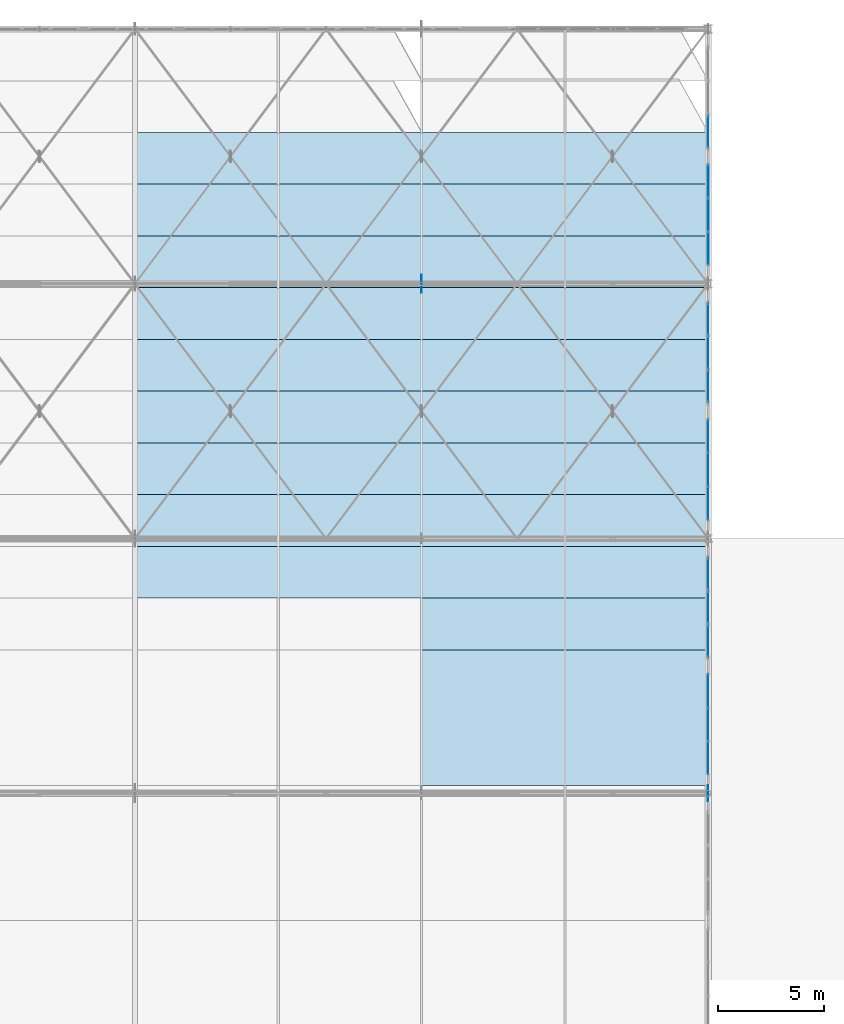
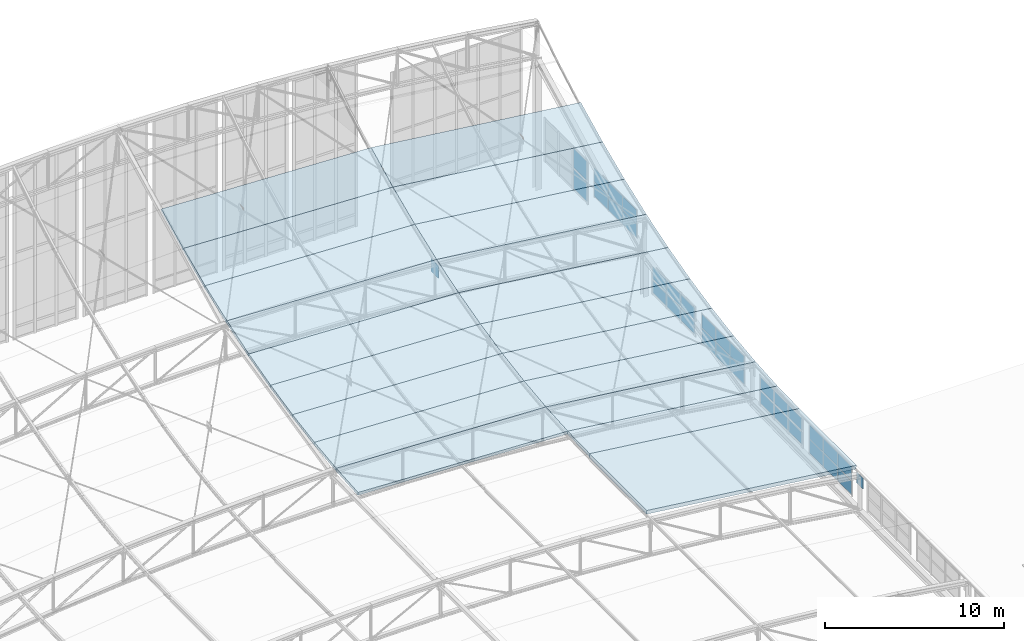
# One storey, part 226 of 262: 34 plates, 20 slabs, 6 elements without a shape of their own.
"""IFC4 building model written with IfcOpenShell, lengths in metres."""

from ifc_helpers import new_model, si_unit, derived_unit, direction, frame, origin, origin_2d, place, context, subcontext, project, spatial, polyline, rectangle, outline, extrude, material, layer, layer_set, type_object, element, aggregate, save


model = new_model("IFC4")

# Units and contexts
model_context = context("Model", 3, precision=1e-05, world=origin(), true_north=direction((0.0, 1.0)))
body_context = subcontext(model_context, "Body", "Model", "MODEL_VIEW")
ifc_project = project(units=[si_unit("LENGTHUNIT", "METRE"), si_unit("AREAUNIT", "SQUARE_METRE"), si_unit("VOLUMEUNIT", "CUBIC_METRE"), si_unit("PLANEANGLEUNIT", "RADIAN"), si_unit("MASSUNIT", "GRAM", prefix="KILO"), derived_unit("THERMALTRANSMITTANCEUNIT", [(si_unit("POWERUNIT", "WATT"), 1), (si_unit("LENGTHUNIT", "METRE"), -2), (si_unit("THERMODYNAMICTEMPERATUREUNIT", "KELVIN"), -1)])], contexts=[model_context])

# Site, building, storey
site_placement = place(None, origin())
site = spatial("IfcSite", under=ifc_project, at=site_placement, CompositionType="ELEMENT")
building_placement = place(site_placement, origin())
building = spatial("IfcBuilding", under=site, at=building_placement, Name="Almenara Railside Exhibition Hall", CompositionType="ELEMENT")
storey_placement = place(building_placement, frame((0.0, 0.0, 21.699951171875)))
storey = spatial("IfcBuildingStorey", under=building, at=storey_placement, Name="RF", CompositionType="ELEMENT", Elevation=21.699951171875)

# Curtain wall, plates
ifc_material_1 = material(Name="Bronze-anodised aluminium and low-E double glazing", Category="aluminium")
ifc_layer_1 = layer(ifc_material_1, 0.179931640625, Name="Bronze-anodised aluminium and low-E double glazing")
ifc_layer_set_1 = layer_set([ifc_layer_1], Name="Bronze-anodised aluminium and low-E double glazing")
curtain_wall_type = type_object("IfcCurtainWallType", Name="West Hall Clerestory Curtain Wall 4200x2400", PredefinedType="NOTDEFINED", material=ifc_layer_set_1)
curtain_wall_1_placement = place(storey_placement, origin())
curtain_wall_1 = element("IfcCurtainWall", 1, at=curtain_wall_1_placement, inside=storey, type_object=curtain_wall_type, Name="Curtain wall CW-CL1-190", PredefinedType="NOTDEFINED")
ifc_material_2 = material(Name="Solar-control acoustic laminated glazing", Category="glass")
ifc_layer_2 = layer(ifc_material_2, 0.031982421875, Name="Solar-control acoustic laminated glazing")
ifc_layer_set_2 = layer_set([ifc_layer_2], Name="Solar-control acoustic laminated glazing")
plate_type_1 = type_object("IfcPlateType", Name="Acoustic Low-E Double Glazing Panel 32mm", PredefinedType="CURTAIN_PANEL", material=ifc_layer_set_2)
plate_1_placement = place(storey_placement, frame((66.0, 109.663818359375, -1.7158203125), z_axis=(0.0, 0.0, 1.0), x_axis=(0.0, 1.0, 0.0)))
plate_1 = element("IfcPlate", 2, at=plate_1_placement, type_object=plate_type_1, Name="CW-CL1-190 panel 1.1", PredefinedType="CURTAIN_PANEL", context=body_context, shape_type="SweptSolid", body=[
    extrude(rectangle(XDim=1.533447265625, YDim=0.031982421875, at=origin_2d()), origin(), (0.0, 0.0, 1.0), 0.922119140625),
])
plate_2_placement = place(storey_placement, frame((66.0, 109.663818359375, -0.73583984375), z_axis=(0.0, 0.0, 1.0), x_axis=(0.0, 1.0, 0.0)))
plate_2 = element("IfcPlate", 3, at=plate_2_placement, type_object=plate_type_1, Name="CW-CL1-190 panel 1.2", PredefinedType="CURTAIN_PANEL", context=body_context, shape_type="SweptSolid", body=[
    extrude(rectangle(XDim=1.533447265625, YDim=0.031982421875, at=origin_2d()), origin(), (0.0, 0.0, 1.0), 0.922119140625),
])
plate_3_placement = place(storey_placement, frame((66.0, 111.25, -1.7158203125), z_axis=(0.0, 0.0, 1.0), x_axis=(0.0, 1.0, 0.0)))
plate_3 = element("IfcPlate", 4, at=plate_3_placement, type_object=plate_type_1, Name="CW-CL1-190 panel 2.1", PredefinedType="CURTAIN_PANEL", context=body_context, shape_type="SweptSolid", body=[
    extrude(rectangle(XDim=1.56103515625, YDim=0.031982421875, at=origin_2d()), origin(), (0.0, 0.0, 1.0), 0.922119140625),
])
plate_4_placement = place(storey_placement, frame((66.0, 111.25, -0.73583984375), z_axis=(0.0, 0.0, 1.0), x_axis=(0.0, 1.0, 0.0)))
plate_4 = element("IfcPlate", 5, at=plate_4_placement, type_object=plate_type_1, Name="CW-CL1-190 panel 2.2", PredefinedType="CURTAIN_PANEL", context=body_context, shape_type="SweptSolid", body=[
    extrude(rectangle(XDim=1.56103515625, YDim=0.031982421875, at=origin_2d()), origin(), (0.0, 0.0, 1.0), 0.922119140625),
])
plate_5_placement = place(storey_placement, frame((66.0, 112.836181640625, -1.7158203125), z_axis=(0.0, 0.0, 1.0), x_axis=(0.0, 1.0, 0.0)))
plate_5 = element("IfcPlate", 6, at=plate_5_placement, type_object=plate_type_1, Name="CW-CL1-190 panel 3.1", PredefinedType="CURTAIN_PANEL", context=body_context, shape_type="SweptSolid", body=[
    extrude(rectangle(XDim=1.533447265625, YDim=0.031982421875, at=origin_2d()), origin(), (0.0, 0.0, 1.0), 0.922119140625),
])
plate_6_placement = place(storey_placement, frame((66.0, 112.836181640625, -0.73583984375), z_axis=(0.0, 0.0, 1.0), x_axis=(0.0, 1.0, 0.0)))
plate_6 = element("IfcPlate", 7, at=plate_6_placement, type_object=plate_type_1, Name="CW-CL1-190 panel 3.2", PredefinedType="CURTAIN_PANEL", context=body_context, shape_type="SweptSolid", body=[
    extrude(rectangle(XDim=1.533447265625, YDim=0.031982421875, at=origin_2d()), origin(), (0.0, 0.0, 1.0), 0.922119140625),
])
aggregate(curtain_wall_1, [plate_1, plate_2, plate_3, plate_4, plate_5, plate_6])

curtain_wall_2_placement = place(storey_placement, origin())
curtain_wall_2 = element("IfcCurtainWall", 8, at=curtain_wall_2_placement, inside=storey, type_object=curtain_wall_type, Name="Curtain wall CW-CL1-195", PredefinedType="NOTDEFINED")
plate_7_placement = place(storey_placement, frame((66.0, 127.16748046875, 0.093994140625), z_axis=(0.0, 0.0, 1.0), x_axis=(0.0, 1.0, 0.0)))
plate_7 = element("IfcPlate", 9, at=plate_7_placement, type_object=plate_type_1, Name="CW-CL1-195 panel 1.1", PredefinedType="CURTAIN_PANEL", context=body_context, shape_type="SweptSolid", body=[
    extrude(rectangle(XDim=1.510986328125, YDim=0.031982421875, at=origin_2d()), origin(), (0.0, 0.0, 1.0), 1.287109375),
])
plate_8_placement = place(storey_placement, frame((66.0, 127.16748046875, 1.509033203125), z_axis=(0.0, 0.0, 1.0), x_axis=(0.0, 1.0, 0.0)))
plate_8 = element("IfcPlate", 10, at=plate_8_placement, type_object=plate_type_1, Name="CW-CL1-195 panel 1.2", PredefinedType="CURTAIN_PANEL", context=body_context, shape_type="SweptSolid", body=[
    extrude(rectangle(XDim=1.510986328125, YDim=0.031982421875, at=origin_2d()), origin(), (0.0, 0.0, 1.0), 1.287109375),
])
aggregate(curtain_wall_2, [plate_7, plate_8])

curtain_wall_3_placement = place(storey_placement, origin())
curtain_wall_3 = element("IfcCurtainWall", 11, at=curtain_wall_3_placement, inside=storey, type_object=curtain_wall_type, Name="Curtain wall CW-CL1-187", PredefinedType="NOTDEFINED")
ifc_material_3 = material(Name="Clear low-E laminated double glazing", Category="glass")
ifc_layer_3 = layer(ifc_material_3, 0.02392578125, Name="Clear low-E laminated double glazing")
ifc_layer_set_3 = layer_set([ifc_layer_3], Name="Clear low-E laminated double glazing")
plate_type_2 = type_object("IfcPlateType", Name="Courtyard Clear Double Glazing Panel 24mm", PredefinedType="CURTAIN_PANEL", material=ifc_layer_set_3)
plate_9_placement = place(storey_placement, frame((66.0, 103.16748046875, -1.906005859375), z_axis=(0.0, 0.0, 1.0), x_axis=(0.0, 1.0, 0.0)))
plate_9 = element("IfcPlate", 12, at=plate_9_placement, type_object=plate_type_2, Name="CW-CL1-187 panel 1.1", PredefinedType="CURTAIN_PANEL", context=body_context, shape_type="SweptSolid", body=[
    extrude(rectangle(XDim=1.510986328125, YDim=0.02392578125, at=origin_2d()), origin(), (0.0, 0.0, 1.0), 0.81689453125),
])
plate_10_placement = place(storey_placement, frame((66.0, 103.16748046875, -0.9609375), z_axis=(0.0, 0.0, 1.0), x_axis=(0.0, 1.0, 0.0)))
plate_10 = element("IfcPlate", 13, at=plate_10_placement, type_object=plate_type_2, Name="CW-CL1-187 panel 1.2", PredefinedType="CURTAIN_PANEL", context=body_context, shape_type="SweptSolid", body=[
    extrude(rectangle(XDim=1.510986328125, YDim=0.02392578125, at=origin_2d()), origin(), (0.0, 0.0, 1.0), 0.81689453125),
])
plate_11_placement = place(storey_placement, frame((66.0, 104.75, -1.906005859375), z_axis=(0.0, 0.0, 1.0), x_axis=(0.0, 1.0, 0.0)))
plate_11 = element("IfcPlate", 14, at=plate_11_placement, type_object=plate_type_2, Name="CW-CL1-187 panel 2.1", PredefinedType="CURTAIN_PANEL", context=body_context, shape_type="SweptSolid", body=[
    extrude(rectangle(XDim=1.5458984375, YDim=0.02392578125, at=origin_2d()), origin(), (0.0, 0.0, 1.0), 0.81689453125),
])
plate_12_placement = place(storey_placement, frame((66.0, 104.75, -0.9609375), z_axis=(0.0, 0.0, 1.0), x_axis=(0.0, 1.0, 0.0)))
plate_12 = element("IfcPlate", 15, at=plate_12_placement, type_object=plate_type_2, Name="CW-CL1-187 panel 2.2", PredefinedType="CURTAIN_PANEL", context=body_context, shape_type="SweptSolid", body=[
    extrude(rectangle(XDim=1.5458984375, YDim=0.02392578125, at=origin_2d()), origin(), (0.0, 0.0, 1.0), 0.81689453125),
])
plate_13_placement = place(storey_placement, frame((66.0, 106.33251953125, -1.906005859375), z_axis=(0.0, 0.0, 1.0), x_axis=(0.0, 1.0, 0.0)))
plate_13 = element("IfcPlate", 16, at=plate_13_placement, type_object=plate_type_2, Name="CW-CL1-187 panel 3.1", PredefinedType="CURTAIN_PANEL", context=body_context, shape_type="SweptSolid", body=[
    extrude(rectangle(XDim=1.510986328125, YDim=0.02392578125, at=origin_2d()), origin(), (0.0, 0.0, 1.0), 0.81689453125),
])
plate_14_placement = place(storey_placement, frame((66.0, 106.33251953125, -0.9609375), z_axis=(0.0, 0.0, 1.0), x_axis=(0.0, 1.0, 0.0)))
plate_14 = element("IfcPlate", 17, at=plate_14_placement, type_object=plate_type_2, Name="CW-CL1-187 panel 3.2", PredefinedType="CURTAIN_PANEL", context=body_context, shape_type="SweptSolid", body=[
    extrude(rectangle(XDim=1.510986328125, YDim=0.02392578125, at=origin_2d()), origin(), (0.0, 0.0, 1.0), 0.81689453125),
])
aggregate(curtain_wall_3, [plate_9, plate_10, plate_11, plate_12, plate_13, plate_14])

# Slab
ifc_material_4 = material(Name="Planted green roof insulated steel S355JR deck", Category="steel")
ifc_layer_4 = layer(ifc_material_4, 0.2451171875, Name="Planted green roof insulated steel S355JR deck")
ifc_layer_set_4 = layer_set([ifc_layer_4], Name="Planted green roof insulated steel S355JR deck")
slab_type_1 = type_object("IfcSlabType", Name="Flat Planted Hall Roof Deck 245mm S355JR", PredefinedType="ROOF", material=ifc_layer_set_4)
slab_1_placement = place(storey_placement, frame((52.5, 96.3798828125, 1.989990234375), z_axis=(0.121312355276, 0.0, 0.992614382556), x_axis=(0.992614382556, 0.0, -0.121312355276)))
element("IfcSlab", 18, at=slab_1_placement, inside=storey, type_object=slab_type_1, Name="V1 roof cassette RC-V1-16D", PredefinedType="ROOF", context=body_context, shape_type="SweptSolid", body=[
    extrude(outline(polyline([(0.0, 0.0), (13.600447703804157, 0.0), (13.600447703804157, 6.379638671875), (0.0, 6.379638671875), (0.0, 0.0)])), origin(), (0.0, 0.0, -1.0), 0.2451171875),
])

# Curtain wall, plates
curtain_wall_4_placement = place(storey_placement, origin())
curtain_wall_4 = element("IfcCurtainWall", 19, at=curtain_wall_4_placement, inside=storey, type_object=curtain_wall_type, Name="Curtain wall CW-CL1-194", PredefinedType="NOTDEFINED")
ifc_material_5 = material(Name="Bronze-anodised insulated aluminium spandrel", Category="aluminium")
ifc_layer_5 = layer(ifc_material_5, 0.034912109375, Name="Bronze-anodised insulated aluminium spandrel")
ifc_layer_set_5 = layer_set([ifc_layer_5], Name="Bronze-anodised insulated aluminium spandrel")
plate_type_3 = type_object("IfcPlateType", Name="Insulated Stucco-Tone Spandrel Panel 35mm", PredefinedType="CURTAIN_PANEL", material=ifc_layer_set_5)
plate_15_placement = place(storey_placement, frame((66.0, 121.663818359375, 0.9638671875), z_axis=(0.0, 0.0, 1.0), x_axis=(0.0, 1.0, 0.0)))
plate_15 = element("IfcPlate", 20, at=plate_15_placement, type_object=plate_type_3, Name="CW-CL1-194 panel 1.1", PredefinedType="CURTAIN_PANEL", context=body_context, shape_type="SweptSolid", body=[
    extrude(rectangle(XDim=1.533447265625, YDim=0.034912109375, at=origin_2d()), origin(), (0.0, 0.0, 1.0), 0.922119140625),
])
plate_16_placement = place(storey_placement, frame((66.0, 121.663818359375, 1.94384765625), z_axis=(0.0, 0.0, 1.0), x_axis=(0.0, 1.0, 0.0)))
plate_16 = element("IfcPlate", 21, at=plate_16_placement, type_object=plate_type_3, Name="CW-CL1-194 panel 1.2", PredefinedType="CURTAIN_PANEL", context=body_context, shape_type="SweptSolid", body=[
    extrude(rectangle(XDim=1.533447265625, YDim=0.034912109375, at=origin_2d()), origin(), (0.0, 0.0, 1.0), 0.922119140625),
])
plate_17_placement = place(storey_placement, frame((66.0, 123.25, 0.9638671875), z_axis=(0.0, 0.0, 1.0), x_axis=(0.0, 1.0, 0.0)))
plate_17 = element("IfcPlate", 22, at=plate_17_placement, type_object=plate_type_3, Name="CW-CL1-194 panel 2.1", PredefinedType="CURTAIN_PANEL", context=body_context, shape_type="SweptSolid", body=[
    extrude(rectangle(XDim=1.56103515625, YDim=0.034912109375, at=origin_2d()), origin(), (0.0, 0.0, 1.0), 0.922119140625),
])
plate_18_placement = place(storey_placement, frame((66.0, 123.25, 1.94384765625), z_axis=(0.0, 0.0, 1.0), x_axis=(0.0, 1.0, 0.0)))
plate_18 = element("IfcPlate", 23, at=plate_18_placement, type_object=plate_type_3, Name="CW-CL1-194 panel 2.2", PredefinedType="CURTAIN_PANEL", context=body_context, shape_type="SweptSolid", body=[
    extrude(rectangle(XDim=1.56103515625, YDim=0.034912109375, at=origin_2d()), origin(), (0.0, 0.0, 1.0), 0.922119140625),
])
plate_19_placement = place(storey_placement, frame((66.0, 124.836181640625, 0.9638671875), z_axis=(0.0, 0.0, 1.0), x_axis=(0.0, 1.0, 0.0)))
plate_19 = element("IfcPlate", 24, at=plate_19_placement, type_object=plate_type_3, Name="CW-CL1-194 panel 3.1", PredefinedType="CURTAIN_PANEL", context=body_context, shape_type="SweptSolid", body=[
    extrude(rectangle(XDim=1.533447265625, YDim=0.034912109375, at=origin_2d()), origin(), (0.0, 0.0, 1.0), 0.922119140625),
])
plate_20_placement = place(storey_placement, frame((66.0, 124.836181640625, 1.94384765625), z_axis=(0.0, 0.0, 1.0), x_axis=(0.0, 1.0, 0.0)))
plate_20 = element("IfcPlate", 25, at=plate_20_placement, type_object=plate_type_3, Name="CW-CL1-194 panel 3.2", PredefinedType="CURTAIN_PANEL", context=body_context, shape_type="SweptSolid", body=[
    extrude(rectangle(XDim=1.533447265625, YDim=0.034912109375, at=origin_2d()), origin(), (0.0, 0.0, 1.0), 0.922119140625),
])
aggregate(curtain_wall_4, [plate_15, plate_16, plate_17, plate_18, plate_19, plate_20])

curtain_wall_5_placement = place(storey_placement, origin())
curtain_wall_5 = element("IfcCurtainWall", 26, at=curtain_wall_5_placement, inside=storey, type_object=curtain_wall_type, Name="Curtain wall CW-CL1-186", PredefinedType="NOTDEFINED")
ifc_material_6 = material(Name="Solar-control low-E laminated double glazing", Category="glass")
ifc_layer_6 = layer(ifc_material_6, 0.028076171875, Name="Solar-control low-E laminated double glazing")
ifc_layer_set_6 = layer_set([ifc_layer_6], Name="Solar-control low-E laminated double glazing")
plate_type_4 = type_object("IfcPlateType", Name="Low-E Solar Control Double Glazing Panel 28mm", PredefinedType="CURTAIN_PANEL", material=ifc_layer_set_6)
plate_21_placement = place(storey_placement, frame((66.0, 97.663818359375, -1.97607421875), z_axis=(0.0, 0.0, 1.0), x_axis=(0.0, 1.0, 0.0)))
plate_21 = element("IfcPlate", 27, at=plate_21_placement, type_object=plate_type_4, Name="CW-CL1-186 panel 1.1", PredefinedType="CURTAIN_PANEL", context=body_context, shape_type="SweptSolid", body=[
    extrude(rectangle(XDim=1.533447265625, YDim=0.028076171875, at=origin_2d()), origin(), (0.0, 0.0, 1.0), 0.922119140625),
])
plate_22_placement = place(storey_placement, frame((66.0, 97.663818359375, -0.99609375), z_axis=(0.0, 0.0, 1.0), x_axis=(0.0, 1.0, 0.0)))
plate_22 = element("IfcPlate", 28, at=plate_22_placement, type_object=plate_type_4, Name="CW-CL1-186 panel 1.2", PredefinedType="CURTAIN_PANEL", context=body_context, shape_type="SweptSolid", body=[
    extrude(rectangle(XDim=1.533447265625, YDim=0.028076171875, at=origin_2d()), origin(), (0.0, 0.0, 1.0), 0.922119140625),
])
plate_23_placement = place(storey_placement, frame((66.0, 99.25, -1.97607421875), z_axis=(0.0, 0.0, 1.0), x_axis=(0.0, 1.0, 0.0)))
plate_23 = element("IfcPlate", 29, at=plate_23_placement, type_object=plate_type_4, Name="CW-CL1-186 panel 2.1", PredefinedType="CURTAIN_PANEL", context=body_context, shape_type="SweptSolid", body=[
    extrude(rectangle(XDim=1.56103515625, YDim=0.028076171875, at=origin_2d()), origin(), (0.0, 0.0, 1.0), 0.922119140625),
])
plate_24_placement = place(storey_placement, frame((66.0, 99.25, -0.99609375), z_axis=(0.0, 0.0, 1.0), x_axis=(0.0, 1.0, 0.0)))
plate_24 = element("IfcPlate", 30, at=plate_24_placement, type_object=plate_type_4, Name="CW-CL1-186 panel 2.2", PredefinedType="CURTAIN_PANEL", context=body_context, shape_type="SweptSolid", body=[
    extrude(rectangle(XDim=1.56103515625, YDim=0.028076171875, at=origin_2d()), origin(), (0.0, 0.0, 1.0), 0.922119140625),
])
plate_25_placement = place(storey_placement, frame((66.0, 100.836181640625, -1.97607421875), z_axis=(0.0, 0.0, 1.0), x_axis=(0.0, 1.0, 0.0)))
plate_25 = element("IfcPlate", 31, at=plate_25_placement, type_object=plate_type_4, Name="CW-CL1-186 panel 3.1", PredefinedType="CURTAIN_PANEL", context=body_context, shape_type="SweptSolid", body=[
    extrude(rectangle(XDim=1.533447265625, YDim=0.028076171875, at=origin_2d()), origin(), (0.0, 0.0, 1.0), 0.922119140625),
])
plate_26_placement = place(storey_placement, frame((66.0, 100.836181640625, -0.99609375), z_axis=(0.0, 0.0, 1.0), x_axis=(0.0, 1.0, 0.0)))
plate_26 = element("IfcPlate", 32, at=plate_26_placement, type_object=plate_type_4, Name="CW-CL1-186 panel 3.2", PredefinedType="CURTAIN_PANEL", context=body_context, shape_type="SweptSolid", body=[
    extrude(rectangle(XDim=1.533447265625, YDim=0.028076171875, at=origin_2d()), origin(), (0.0, 0.0, 1.0), 0.922119140625),
])
aggregate(curtain_wall_5, [plate_21, plate_22, plate_23, plate_24, plate_25, plate_26])

curtain_wall_6_placement = place(storey_placement, origin())
curtain_wall_6 = element("IfcCurtainWall", 33, at=curtain_wall_6_placement, inside=storey, type_object=curtain_wall_type, Name="Curtain wall CW-CL1-191", PredefinedType="NOTDEFINED")
plate_27_placement = place(storey_placement, frame((66.0, 115.16748046875, -1.64599609375), z_axis=(0.0, 0.0, 1.0), x_axis=(0.0, 1.0, 0.0)))
plate_27 = element("IfcPlate", 34, at=plate_27_placement, type_object=plate_type_4, Name="CW-CL1-191 panel 1.1", PredefinedType="CURTAIN_PANEL", context=body_context, shape_type="SweptSolid", body=[
    extrude(rectangle(XDim=1.510986328125, YDim=0.028076171875, at=origin_2d()), origin(), (0.0, 0.0, 1.0), 0.81689453125),
])
plate_28_placement = place(storey_placement, frame((66.0, 115.16748046875, -0.700927734375), z_axis=(0.0, 0.0, 1.0), x_axis=(0.0, 1.0, 0.0)))
plate_28 = element("IfcPlate", 35, at=plate_28_placement, type_object=plate_type_4, Name="CW-CL1-191 panel 1.2", PredefinedType="CURTAIN_PANEL", context=body_context, shape_type="SweptSolid", body=[
    extrude(rectangle(XDim=1.510986328125, YDim=0.028076171875, at=origin_2d()), origin(), (0.0, 0.0, 1.0), 0.81689453125),
])
plate_29_placement = place(storey_placement, frame((66.0, 116.75, -1.64599609375), z_axis=(0.0, 0.0, 1.0), x_axis=(0.0, 1.0, 0.0)))
plate_29 = element("IfcPlate", 36, at=plate_29_placement, type_object=plate_type_4, Name="CW-CL1-191 panel 2.1", PredefinedType="CURTAIN_PANEL", context=body_context, shape_type="SweptSolid", body=[
    extrude(rectangle(XDim=1.5458984375, YDim=0.028076171875, at=origin_2d()), origin(), (0.0, 0.0, 1.0), 0.81689453125),
])
plate_30_placement = place(storey_placement, frame((66.0, 116.75, -0.700927734375), z_axis=(0.0, 0.0, 1.0), x_axis=(0.0, 1.0, 0.0)))
plate_30 = element("IfcPlate", 37, at=plate_30_placement, type_object=plate_type_4, Name="CW-CL1-191 panel 2.2", PredefinedType="CURTAIN_PANEL", context=body_context, shape_type="SweptSolid", body=[
    extrude(rectangle(XDim=1.5458984375, YDim=0.028076171875, at=origin_2d()), origin(), (0.0, 0.0, 1.0), 0.81689453125),
])
plate_31_placement = place(storey_placement, frame((66.0, 118.33251953125, -1.64599609375), z_axis=(0.0, 0.0, 1.0), x_axis=(0.0, 1.0, 0.0)))
plate_31 = element("IfcPlate", 38, at=plate_31_placement, type_object=plate_type_4, Name="CW-CL1-191 panel 3.1", PredefinedType="CURTAIN_PANEL", context=body_context, shape_type="SweptSolid", body=[
    extrude(rectangle(XDim=1.510986328125, YDim=0.028076171875, at=origin_2d()), origin(), (0.0, 0.0, 1.0), 0.81689453125),
])
plate_32_placement = place(storey_placement, frame((66.0, 118.33251953125, -0.700927734375), z_axis=(0.0, 0.0, 1.0), x_axis=(0.0, 1.0, 0.0)))
plate_32 = element("IfcPlate", 39, at=plate_32_placement, type_object=plate_type_4, Name="CW-CL1-191 panel 3.2", PredefinedType="CURTAIN_PANEL", context=body_context, shape_type="SweptSolid", body=[
    extrude(rectangle(XDim=1.510986328125, YDim=0.028076171875, at=origin_2d()), origin(), (0.0, 0.0, 1.0), 0.81689453125),
])
aggregate(curtain_wall_6, [plate_27, plate_28, plate_29, plate_30, plate_31, plate_32])

# Slabs
ifc_material_7 = material(Name="White standing-seam insulated steel S355JR roof deck", Category="steel")
ifc_layer_7 = layer(ifc_material_7, 0.195068359375, Name="White standing-seam insulated steel S355JR roof deck")
ifc_layer_set_7 = layer_set([ifc_layer_7], Name="White standing-seam insulated steel S355JR roof deck")
slab_type_2 = type_object("IfcSlabType", Name="Scroll Standing-Seam Insulated Roof Cassette 195mm S355JR", PredefinedType="ROOF", material=ifc_layer_set_7)
slab_2_placement = place(storey_placement, frame((52.5, 102.759521484375, 1.989990234375), z_axis=(0.121279519792, -0.023265093355, 0.992345712698), x_axis=(0.992614382556, 0.0, -0.121312355276)))
element("IfcSlab", 40, at=slab_2_placement, inside=storey, type_object=slab_type_2, Name="V1 roof cassette RC-V1-17D", PredefinedType="ROOF", context=body_context, shape_type="SweptSolid", body=[
    extrude(outline(polyline([(0.0, 0.0), (13.600447703804157, 0.0), (13.593517261632655, 2.4374273139320084), (-0.006930442171501791, 2.4374273139320084), (0.0, 0.0)])), origin(), (0.0, 0.0, -1.0), 0.195068359375),
])
slab_3_placement = place(storey_placement, frame((39.0, 105.1962890625, 2.59716796875), z_axis=(0.040600999075, -0.070251513229, 0.996702705807), x_axis=(0.999171346361, -6.32612e-07, -0.040701604515)))
element("IfcSlab", 41, at=slab_3_placement, inside=storey, type_object=slab_type_2, Name="V1 roof cassette RC-V1-18C", PredefinedType="ROOF", context=body_context, shape_type="SweptSolid", body=[
    extrude(outline(polyline([(0.0, 0.0), (13.51120104574418, -1.3877787807814457e-17), (13.504203915939742, 2.4428115504061343), (-0.006987192889272996, 2.442794413376503), (0.0, 0.0)])), origin(), (0.0, 0.0, -1.0), 0.195068359375),
])
slab_4_placement = place(storey_placement, frame((52.5, 105.1962890625, 2.047119140625), z_axis=(0.121025359122, -0.069792671838, 0.990192832436), x_axis=(0.99261330699, 6.20278e-07, -0.121321155559)))
element("IfcSlab", 42, at=slab_4_placement, inside=storey, type_object=slab_type_2, Name="V1 roof cassette RC-V1-18D", PredefinedType="ROOF", context=body_context, shape_type="SweptSolid", body=[
    extrude(outline(polyline([(0.0, 0.0), (13.60044770326703, 2.7755575615628914e-17), (13.579626760551719, 2.442715672243724), (-0.020850562138055934, 2.442732585625039), (0.0, 0.0)])), origin(), (0.0, 0.0, -1.0), 0.195068359375),
])
slab_5_placement = place(storey_placement, frame((39.0, 107.633056640625, 2.768798828125), z_axis=(0.040421646666, -0.117077460269, 0.992299833104), x_axis=(0.999171353211, 1.049621e-06, -0.040701436365)))
element("IfcSlab", 43, at=slab_5_placement, inside=storey, type_object=slab_type_2, Name="V1 roof cassette RC-V1-19C", PredefinedType="ROOF", context=body_context, shape_type="SweptSolid", body=[
    extrude(outline(polyline([(0.0, 0.0), (13.511191108844713, -2.7755575615628914e-17), (13.499497965441225, 2.453381698829933), (-0.011703080277601518, 2.453410258519101), (0.0, 0.0)])), origin(), (0.0, 0.0, -1.0), 0.195068359375),
])
slab_6_placement = place(storey_placement, frame((52.5, 107.633056640625, 2.218994140625), z_axis=(0.12049765247, -0.116319455065, 0.985875296436), x_axis=(0.9926132871, -1.029272e-06, -0.121321318287)))
element("IfcSlab", 44, at=slab_6_placement, inside=storey, type_object=slab_type_2, Name="V1 roof cassette RC-V1-19D", PredefinedType="ROOF", context=body_context, shape_type="SweptSolid", body=[
    extrude(outline(polyline([(0.0, 0.0), (13.600477322704963, -2.7755575615628914e-17), (13.565583088066598, 2.4531900153215047), (-0.034864615175893544, 2.453161826817447), (0.0, 0.0)])), origin(), (0.0, 0.0, -1.0), 0.195068359375),
])
slab_7_placement = place(storey_placement, frame((39.0, 110.069580078125, 3.056396484375), z_axis=(0.040159845601, -0.163930057659, 0.985654159935), x_axis=(0.99917098071, 0.0, -0.04071057978)))
element("IfcSlab", 45, at=slab_7_placement, inside=storey, type_object=slab_type_2, Name="V1 roof cassette RC-V1-20C", PredefinedType="ROOF", context=body_context, shape_type="SweptSolid", body=[
    extrude(outline(polyline([(0.0, 0.0), (13.511201046291989, 0.0), (13.494702129681741, 2.4701843199840234), (-0.016498916610247882, 2.4701843199840234), (0.0, 0.0)])), origin(), (0.0, 0.0, -1.0), 0.195068359375),
])
slab_8_placement = place(storey_placement, frame((52.5, 110.069580078125, 2.50634765625), z_axis=(0.119692276774, -0.162882973753, 0.979358410257), x_axis=(0.992614382556, 0.0, -0.121312355276)))
element("IfcSlab", 46, at=slab_8_placement, inside=storey, type_object=slab_type_2, Name="V1 roof cassette RC-V1-20D", PredefinedType="ROOF", context=body_context, shape_type="SweptSolid", body=[
    extrude(outline(polyline([(0.0, 0.0), (13.600447703804157, 5.551115123125783e-17), (13.551283028570426, 2.4697501136053033), (-0.04916467523373066, 2.4697501136053033), (0.0, 0.0)])), origin(), (0.0, 0.0, -1.0), 0.195068359375),
])
slab_9_placement = place(storey_placement, frame((39.0, 112.50634765625, 3.461669921875), z_axis=(0.039795900698, -0.210786361166, 0.976721759886), x_axis=(0.99917098071, 0.0, -0.04071057978)))
element("IfcSlab", 47, at=slab_9_placement, inside=storey, type_object=slab_type_2, Name="V1 roof cassette RC-V1-21C", PredefinedType="ROOF", context=body_context, shape_type="SweptSolid", body=[
    extrude(outline(polyline([(0.0, 0.0), (13.511201046291989, -1.3877787807814457e-17), (13.489792211124232, 2.4927748626012405), (-0.021408835167755384, 2.4927748626012405), (0.0, 0.0)])), origin(), (0.0, 0.0, -1.0), 0.195068359375),
])
slab_10_placement = place(storey_placement, frame((52.5, 112.50634765625, 2.91162109375), z_axis=(0.118621204228, -0.209464052234, 0.970594570729), x_axis=(0.992614382556, 0.0, -0.121312355276)))
element("IfcSlab", 48, at=slab_10_placement, inside=storey, type_object=slab_type_2, Name="V1 roof cassette RC-V1-21D", PredefinedType="ROOF", context=body_context, shape_type="SweptSolid", body=[
    extrude(outline(polyline([(0.0, 0.0), (13.600447703804157, -5.551115123125783e-17), (13.536652095097256, 2.4920503554602567), (-0.0637956087069011, 2.4920503554602567), (0.0, 0.0)])), origin(), (0.0, 0.0, -1.0), 0.195068359375),
])
slab_11_placement = place(storey_placement, frame((39.0, 114.943115234375, 3.987548828125), z_axis=(0.03933677698, -0.257589650078, 0.965453359904), x_axis=(0.99917098071, 0.0, -0.04071057978)))
element("IfcSlab", 49, at=slab_11_placement, inside=storey, type_object=slab_type_2, Name="V1 roof cassette RC-V1-22C", PredefinedType="ROOF", context=body_context, shape_type="SweptSolid", body=[
    extrude(outline(polyline([(0.0, 0.0), (13.511201046291989, 0.0), (13.48473320597085, 2.521869571245723), (-0.026467840321138622, 2.521869571245723), (0.0, 0.0)])), origin(), (0.0, 0.0, -1.0), 0.195068359375),
])
slab_12_placement = place(storey_placement, frame((52.5, 114.943115234375, 3.4375), z_axis=(0.117269500977, -0.256010464129, 0.959534525901), x_axis=(0.992614382556, 0.0, -0.121312355276)))
element("IfcSlab", 50, at=slab_12_placement, inside=storey, type_object=slab_type_2, Name="V1 roof cassette RC-V1-22D", PredefinedType="ROOF", context=body_context, shape_type="SweptSolid", body=[
    extrude(outline(polyline([(0.0, 0.0), (13.600447703804157, 0.0), (13.521576902510528, 2.5207748962669503), (-0.07887080129362936, 2.5207748962669503), (0.0, 0.0)])), origin(), (0.0, 0.0, -1.0), 0.195068359375),
])
slab_13_placement = place(storey_placement, frame((39.0, 117.3798828125, 4.6376953125), z_axis=(0.038777399799, -0.304494593807, 0.951724411585), x_axis=(0.99917098071, 0.0, -0.04071057978)))
element("IfcSlab", 51, at=slab_13_placement, inside=storey, type_object=slab_type_2, Name="V1 roof cassette RC-V1-23C", PredefinedType="ROOF", context=body_context, shape_type="SweptSolid", body=[
    extrude(outline(polyline([(0.0, 0.0), (13.511201046291989, 0.0), (13.47946547958324, 2.5579920856668314), (-0.03173556670874788, 2.557992085666832), (0.0, 0.0)])), origin(), (0.0, 0.0, -1.0), 0.195068359375),
])
slab_14_placement = place(storey_placement, frame((52.5, 117.3798828125, 4.087646484375), z_axis=(0.115631959608, -0.302636738993, 0.94606567115), x_axis=(0.992613400717, 2.569803e-06, -0.12132038868)))
element("IfcSlab", 52, at=slab_14_placement, inside=storey, type_object=slab_type_2, Name="V1 roof cassette RC-V1-23D", PredefinedType="ROOF", context=body_context, shape_type="SweptSolid", body=[
    extrude(outline(polyline([(0.0, 0.0), (13.600447703313835, -5.551115123125783e-17), (13.505909364925966, 2.5563670648225196), (-0.09456795762338759, 2.5564404050519687), (0.0, 0.0)])), origin(), (0.0, 0.0, -1.0), 0.195068359375),
])
slab_15_placement = place(storey_placement, frame((39.0, 119.81640625, 5.417236328125), z_axis=(0.038115969666, -0.351289382745, 0.935490749514), x_axis=(0.99917098071, 0.0, -0.04071057978)))
element("IfcSlab", 53, at=slab_15_placement, inside=storey, type_object=slab_type_2, Name="V1 roof cassette RC-V1-24C", PredefinedType="ROOF", context=body_context, shape_type="SweptSolid", body=[
    extrude(outline(polyline([(0.0, 0.0), (13.511201046291989, 0.0), (13.473949275535839, 2.6026419310534417), (-0.037251770756150035, 2.602641931053442), (0.0, 0.0)])), origin(), (0.0, 0.0, -1.0), 0.195068359375),
])
slab_16_placement = place(storey_placement, frame((52.5, 119.81640625, 4.8671875), z_axis=(0.113689134993, -0.349265556374, 0.93010125885), x_axis=(0.992612220818, 0.0, -0.121330041965)))
element("IfcSlab", 54, at=slab_16_placement, inside=storey, type_object=slab_type_2, Name="V1 roof cassette RC-V1-24D", PredefinedType="ROOF", context=body_context, shape_type="SweptSolid", body=[
    extrude(outline(polyline([(0.0, 0.0), (13.600477323237415, 0.0), (13.489455595384504, 2.600539730834084), (-0.11102172785291241, 2.600539730834084), (0.0, 0.0)])), origin(), (0.0, 0.0, -1.0), 0.195068359375),
])
slab_17_placement = place(storey_placement, frame((39.0, 122.253173828125, 6.332275390625), z_axis=(0.037345607849, -0.398095348831, 0.9165835471), x_axis=(0.99917098071, 0.0, -0.04071057978)))
element("IfcSlab", 55, at=slab_17_placement, inside=storey, type_object=slab_type_2, Name="V1 roof cassette RC-V1-25C", PredefinedType="ROOF", context=body_context, shape_type="SweptSolid", body=[
    extrude(outline(polyline([(0.0, 0.0), (13.511201046291989, -5.551115123125783e-17), (13.468115020083902, 2.6563289931427896), (-0.04308602620808709, 2.6563289931427896), (0.0, 0.0)])), origin(), (0.0, 0.0, -1.0), 0.195068359375),
])
slab_18_placement = place(storey_placement, frame((52.5, 122.253173828125, 5.7822265625), z_axis=(0.111406823331, -0.395931745169, 0.911496885833), x_axis=(0.99261313228, -3.239153e-06, -0.121322584932)))
element("IfcSlab", 56, at=slab_18_placement, inside=storey, type_object=slab_type_2, Name="V1 roof cassette RC-V1-25D", PredefinedType="ROOF", context=body_context, shape_type="SweptSolid", body=[
    extrude(outline(polyline([(0.0, 0.0), (13.600477322782274, 0.0), (13.472038099576672, 2.6536692165570113), (-0.1284096034338904, 2.653573267658359), (0.0, 0.0)])), origin(), (0.0, 0.0, -1.0), 0.195068359375),
])
slab_19_placement = place(storey_placement, frame((39.0, 124.68994140625, 7.390625), z_axis=(0.036457270547, -0.445014736902, 0.894780839851), x_axis=(0.99917098071, 0.0, -0.04071057978)))
element("IfcSlab", 57, at=slab_19_placement, inside=storey, type_object=slab_type_2, Name="V1 roof cassette RC-V1-26C", PredefinedType="ROOF", context=body_context, shape_type="SweptSolid", body=[
    extrude(outline(polyline([(0.0, 0.0), (13.511201046291989, -2.7755575615628914e-17), (13.461863322163513, 2.7210545223615514), (-0.049337724128476194, 2.721054522361552), (0.0, 0.0)])), origin(), (0.0, 0.0, -1.0), 0.195068359375),
])
slab_20_placement = place(storey_placement, frame((52.5, 124.68994140625, 6.840576171875), z_axis=(0.108779023727, -0.442668279908, 0.890062873038), x_axis=(0.992614382556, 0.0, -0.121312355276)))
element("IfcSlab", 58, at=slab_20_placement, inside=storey, type_object=slab_type_2, Name="V1 roof cassette RC-V1-26D", PredefinedType="ROOF", context=body_context, shape_type="SweptSolid", body=[
    extrude(outline(polyline([(0.0, 0.0), (13.600447703804157, 0.0), (13.45342755449076, 2.717527736819313), (-0.14702014931339696, 2.717527736819313), (0.0, 0.0)])), origin(), (0.0, 0.0, -1.0), 0.195068359375),
])

# Plates
ifc_material_8 = material(Name="Structural steel S355JR", Category="steel")
ifc_layer_8 = layer(ifc_material_8, 0.02392578125, Name="Structural steel S355JR")
ifc_layer_set_8 = layer_set([ifc_layer_8], Name="Structural steel S355JR")
plate_type_5 = type_object("IfcPlateType", Name="Truss Node Gusset Plate 24mm S355JR", PredefinedType="USERDEFINED", material=ifc_layer_set_8)
plate_33_placement = place(storey_placement, frame((66.0, 96.0, -0.824951171875), z_axis=(0.0, 0.0, 1.0), x_axis=(0.0, 1.0, 0.0)))
element("IfcPlate", 59, at=plate_33_placement, inside=storey, type_object=plate_type_5, Name="PLT-GUS-0025", ObjectType="GUSSET_PLATE", PredefinedType="USERDEFINED", context=body_context, shape_type="SweptSolid", body=[
    extrude(rectangle(XDim=0.75, YDim=0.02392578125, at=origin_2d()), origin(), (0.0, 0.0, 1.0), 0.75),
])
ifc_layer_9 = layer(ifc_material_8, 0.028076171875, Name="Structural steel S355JR")
ifc_layer_set_9 = layer_set([ifc_layer_9], Name="Structural steel S355JR")
plate_type_6 = type_object("IfcPlateType", Name="Truss Node Gusset Plate 28mm S355JR", PredefinedType="USERDEFINED", material=ifc_layer_set_9)
plate_34_placement = place(storey_placement, frame((52.5, 120.0, 3.716064453125), z_axis=(0.0, 0.0, 1.0), x_axis=(0.0, 1.0, 0.0)))
element("IfcPlate", 60, at=plate_34_placement, inside=storey, type_object=plate_type_6, Name="PLT-GUS-0034", ObjectType="GUSSET_PLATE", PredefinedType="USERDEFINED", context=body_context, shape_type="SweptSolid", body=[
    extrude(rectangle(XDim=0.85009765625, YDim=0.028076171875, at=origin_2d()), origin(), (0.0, 0.0, 1.0), 0.85009765625),
])

save(model, "model.ifc")
